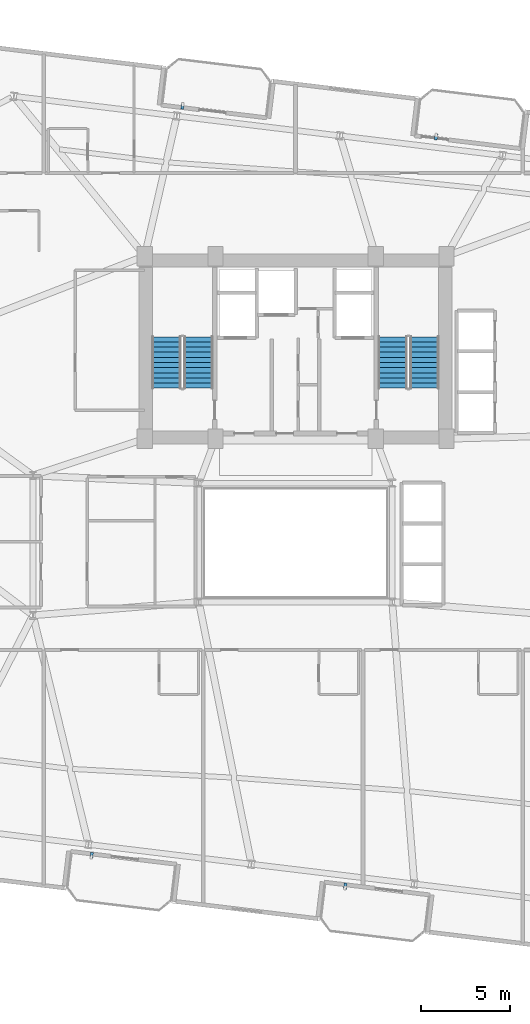
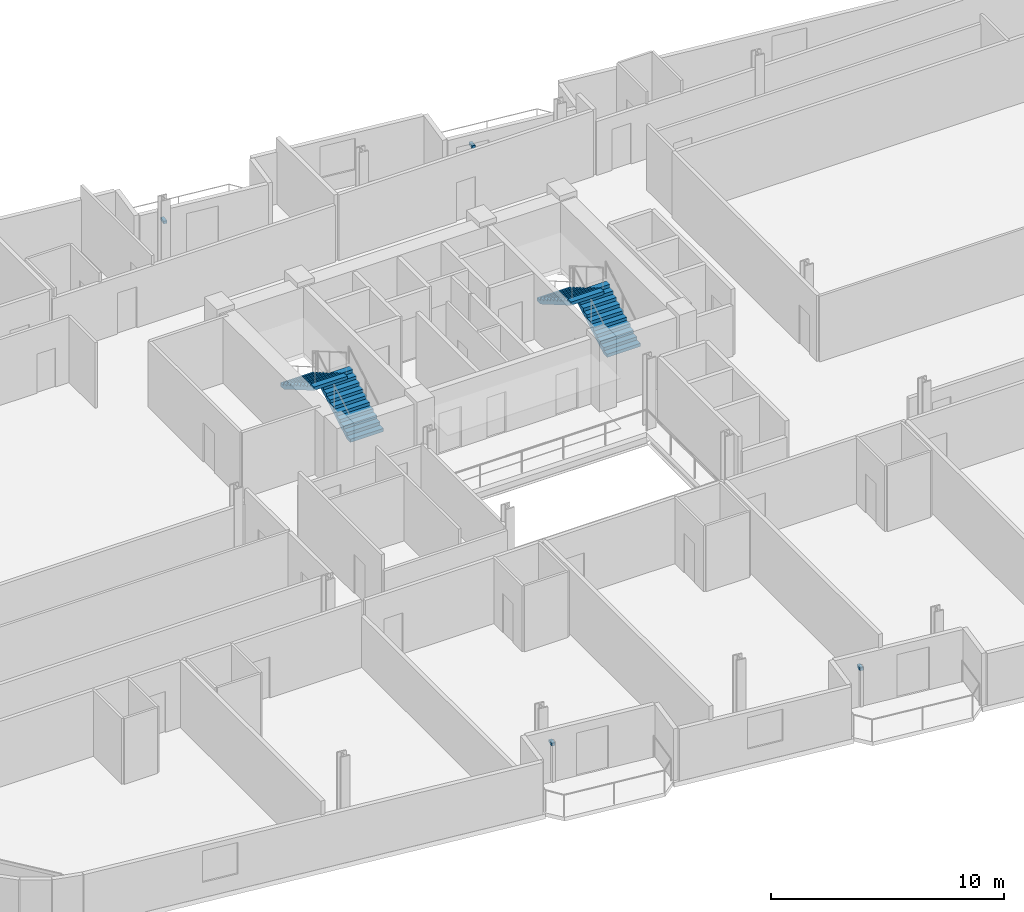
# One storey, part 24 of 26: 4 discrete accessories, 4 stair flights, 2 elements without a shape of their own.
"""IFC4 building model written with IfcOpenShell, lengths in metres."""

from ifc_helpers import new_model, si_unit, direction, frame, origin, origin_2d, place, context, subcontext, project, spatial, polyline, rectangle, outline, extrude, source, transform, mapped, material, type_object, element, aggregate, save


model = new_model("IFC4")

# Units and contexts
model_context = context("Model", 3, precision=1e-05, world=origin(), true_north=direction((0.0, 1.0)))
body_context = subcontext(model_context, "Body", "Model", "MODEL_VIEW")
ifc_project = project(units=[si_unit("LENGTHUNIT", "METRE"), si_unit("AREAUNIT", "SQUARE_METRE"), si_unit("VOLUMEUNIT", "CUBIC_METRE"), si_unit("PLANEANGLEUNIT", "RADIAN"), si_unit("MASSUNIT", "GRAM", prefix="KILO")], contexts=[model_context])

# Site, building, storey
site_placement = place(None, origin())
site = spatial("IfcSite", under=ifc_project, at=site_placement, CompositionType="ELEMENT")
building_placement = place(site_placement, origin())
building = spatial("IfcBuilding", under=site, at=building_placement, Name="Varnelok Gate Tower", CompositionType="ELEMENT")
storey_placement = place(building_placement, frame((0.0, 0.0, 151.300048828125)))
storey = spatial("IfcBuildingStorey", under=building, at=storey_placement, Name="L38", CompositionType="ELEMENT", Elevation=151.300048828125)

# Stair, stair flights
ifc_material_1 = material(Name="Concrete C50/60", Category="concrete")
stair_type = type_object("IfcStairType", Name="STR-CORE-1650", PredefinedType="HALF_TURN_STAIR", material=ifc_material_1)
stair_1_placement = place(storey_placement, origin())
stair_1 = element("IfcStair", 1, at=stair_1_placement, inside=storey, type_object=stair_type, Name="L38 Exit Stair ST-1", PredefinedType="HALF_TURN_STAIR")
stair_flight_type = type_object("IfcStairFlightType", Name="SFL-CORE-1650", PredefinedType="STRAIGHT", material=ifc_material_1)
stair_flight_1_placement = place(storey_placement, frame((33.72509765625, 31.60009765625, 0.0), z_axis=(0.0, 0.0, 1.0), x_axis=(0.0, 1.0, 0.0)))
stair_flight_1 = element("IfcStairFlight", 2, at=stair_flight_1_placement, type_object=stair_flight_type, Name="ST-1 flight 1", NumberOfRisers=11, NumberOfTreads=10, PredefinedType="STRAIGHT", RiserHeight=0.168181818, TreadLength=0.29, context=body_context, shape_type="SweptSolid", body=[
    extrude(outline(polyline([(0.0, 0.0), (0.0, 0.168212890625), (0.2900390625, 0.168212890625), (0.2900390625, 0.33642578125), (0.580078125, 0.33642578125), (0.580078125, 0.504638671875), (0.8701171875, 0.504638671875), (0.8701171875, 0.672607421875), (1.159912109375, 0.672607421875), (1.159912109375, 0.8408203125), (1.449951171875, 0.8408203125), (1.449951171875, 1.009033203125), (1.739990234375, 1.009033203125), (1.739990234375, 1.17724609375), (2.030029296875, 1.17724609375), (2.030029296875, 1.345458984375), (2.320068359375, 1.345458984375), (2.320068359375, 1.513671875), (2.610107421875, 1.513671875), (2.610107421875, 1.681884765625), (2.89990234375, 1.681884765625), (2.89990234375, 1.85009765625), (2.89990234375, 1.508544921875), (0.298828125, 0.0), (0.0, 0.0)])), frame((0.0, 0.824951171875, 0.0), z_axis=(0.0, -1.0, 0.0), x_axis=(1.0, 0.0, 0.0)), (0.0, 0.0, 1.0), 1.64990234375),
])
stair_flight_2_placement = place(storey_placement, frame((31.925048828125, 34.5, 1.849853515625), z_axis=(0.0, 0.0, 1.0), x_axis=(0.0, -1.0, 0.0)))
stair_flight_2 = element("IfcStairFlight", 3, at=stair_flight_2_placement, type_object=stair_flight_type, Name="ST-1 flight 2", NumberOfRisers=11, NumberOfTreads=10, PredefinedType="STRAIGHT", RiserHeight=0.168181818, TreadLength=0.29, context=body_context, shape_type="SweptSolid", body=[
    extrude(outline(polyline([(0.0, 0.0), (0.0, 0.168212890625), (0.2900390625, 0.168212890625), (0.2900390625, 0.33642578125), (0.580078125, 0.33642578125), (0.580078125, 0.504638671875), (0.8701171875, 0.504638671875), (0.8701171875, 0.672607421875), (1.159912109375, 0.672607421875), (1.159912109375, 0.8408203125), (1.449951171875, 0.8408203125), (1.449951171875, 1.009033203125), (1.739990234375, 1.009033203125), (1.739990234375, 1.17724609375), (2.030029296875, 1.17724609375), (2.030029296875, 1.345458984375), (2.320068359375, 1.345458984375), (2.320068359375, 1.513671875), (2.610107421875, 1.513671875), (2.610107421875, 1.681884765625), (2.89990234375, 1.681884765625), (2.89990234375, 1.85009765625), (2.89990234375, 1.508544921875), (0.298828125, 0.0), (0.0, 0.0)])), frame((0.0, 0.824951171875, 0.0), z_axis=(0.0, -1.0, 0.0), x_axis=(1.0, 0.0, 0.0)), (0.0, 0.0, 1.0), 1.64990234375),
])
aggregate(stair_1, [stair_flight_1, stair_flight_2])

stair_2_placement = place(storey_placement, origin())
stair_2 = element("IfcStair", 4, at=stair_2_placement, inside=storey, type_object=stair_type, Name="L38 Exit Stair ST-2", PredefinedType="HALF_TURN_STAIR")
stair_flight_3_placement = place(storey_placement, frame((46.47509765625, 31.60009765625, 0.0), z_axis=(0.0, 0.0, 1.0), x_axis=(0.0, 1.0, 0.0)))
stair_flight_3 = element("IfcStairFlight", 5, at=stair_flight_3_placement, type_object=stair_flight_type, Name="ST-2 flight 1", NumberOfRisers=11, NumberOfTreads=10, PredefinedType="STRAIGHT", RiserHeight=0.168181818, TreadLength=0.29, context=body_context, shape_type="SweptSolid", body=[
    extrude(outline(polyline([(0.0, 0.0), (0.0, 0.168212890625), (0.2900390625, 0.168212890625), (0.2900390625, 0.33642578125), (0.580078125, 0.33642578125), (0.580078125, 0.504638671875), (0.8701171875, 0.504638671875), (0.8701171875, 0.672607421875), (1.159912109375, 0.672607421875), (1.159912109375, 0.8408203125), (1.449951171875, 0.8408203125), (1.449951171875, 1.009033203125), (1.739990234375, 1.009033203125), (1.739990234375, 1.17724609375), (2.030029296875, 1.17724609375), (2.030029296875, 1.345458984375), (2.320068359375, 1.345458984375), (2.320068359375, 1.513671875), (2.610107421875, 1.513671875), (2.610107421875, 1.681884765625), (2.89990234375, 1.681884765625), (2.89990234375, 1.85009765625), (2.89990234375, 1.508544921875), (0.298828125, 0.0), (0.0, 0.0)])), frame((0.0, 0.824951171875, 0.0), z_axis=(0.0, -1.0, 0.0), x_axis=(1.0, 0.0, 0.0)), (0.0, 0.0, 1.0), 1.64990234375),
])
stair_flight_4_placement = place(storey_placement, frame((44.675048828125, 34.5, 1.849853515625), z_axis=(0.0, 0.0, 1.0), x_axis=(0.0, -1.0, 0.0)))
stair_flight_4 = element("IfcStairFlight", 6, at=stair_flight_4_placement, type_object=stair_flight_type, Name="ST-2 flight 2", NumberOfRisers=11, NumberOfTreads=10, PredefinedType="STRAIGHT", RiserHeight=0.168181818, TreadLength=0.29, context=body_context, shape_type="SweptSolid", body=[
    extrude(outline(polyline([(0.0, 0.0), (0.0, 0.168212890625), (0.2900390625, 0.168212890625), (0.2900390625, 0.33642578125), (0.580078125, 0.33642578125), (0.580078125, 0.504638671875), (0.8701171875, 0.504638671875), (0.8701171875, 0.672607421875), (1.159912109375, 0.672607421875), (1.159912109375, 0.8408203125), (1.449951171875, 0.8408203125), (1.449951171875, 1.009033203125), (1.739990234375, 1.009033203125), (1.739990234375, 1.17724609375), (2.030029296875, 1.17724609375), (2.030029296875, 1.345458984375), (2.320068359375, 1.345458984375), (2.320068359375, 1.513671875), (2.610107421875, 1.513671875), (2.610107421875, 1.681884765625), (2.89990234375, 1.681884765625), (2.89990234375, 1.85009765625), (2.89990234375, 1.508544921875), (0.298828125, 0.0), (0.0, 0.0)])), frame((0.0, 0.824951171875, 0.0), z_axis=(0.0, -1.0, 0.0), x_axis=(1.0, 0.0, 0.0)), (0.0, 0.0, 1.0), 1.64990234375),
])
aggregate(stair_2, [stair_flight_3, stair_flight_4])

# Discrete accessories
ifc_material_2 = material(Name="Structural Steel ASTM A500 Grade C", Category="steel")
discrete_accessory_type = type_object("IfcDiscreteAccessoryType", Name="ACC-BAGUETTE-BRK", PredefinedType="BRACKET", material=ifc_material_2)
shared_shape = source(origin(), body_context, "Body", "SweptSolid", [
    extrude(rectangle(XDim=0.159912109375, YDim=0.340087890625, at=origin_2d()), origin(), (0.0, 0.0, 1.0), 0.139892578125),
])
for number, where, z_axis, x_axis, name in (
    (7, (27.705810546875, 5.267578125, 1.97998046875), (0.0, 0.0, 1.0), (0.992732158755, -0.12034475881, 0.0), "L38 Terracotta Baguette Bracket 1.1"),
    (8, (42.0009765625, 3.53466796875, 1.97998046875), (0.0, 0.0, 1.0), (0.992732158755, -0.12034475881, 0.0), "L38 Terracotta Baguette Bracket 2.1"),
    (9, (32.8251953125, 47.49853515625, 1.97998046875), (0.0, 0.0, 1.0), (0.992732158755, -0.12034475881, 0.0), "L38 Terracotta Baguette Bracket 3.1"),
    (10, (47.12060546875, 45.765625, 1.97998046875), (0.0, 0.0, 1.0), (0.992732158755, -0.12034475881, 0.0), "L38 Terracotta Baguette Bracket 4.1"),
):
    element("IfcDiscreteAccessory", number, at=place(storey_placement, frame(where, z_axis=z_axis, x_axis=x_axis)), inside=storey, type_object=discrete_accessory_type, Name=name, PredefinedType="BRACKET", context=body_context, shape_type="MappedRepresentation", body=[
        mapped(shared_shape, transform((0.0, 0.0, 0.0), scale=1.0)),
    ])

save(model, "model.ifc")
